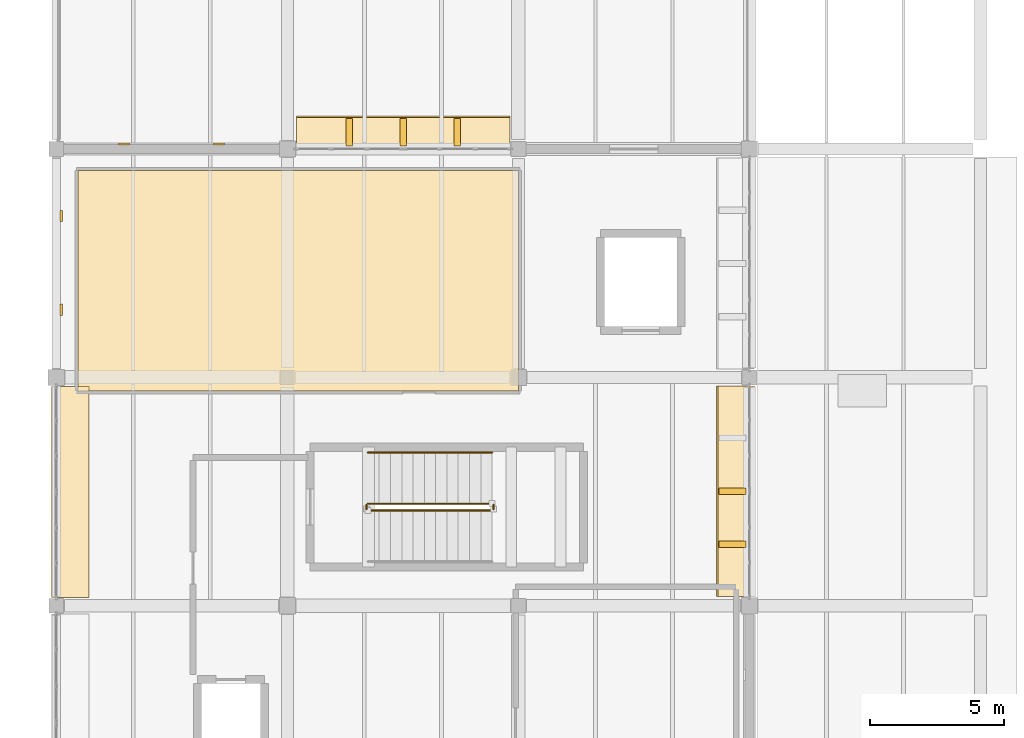
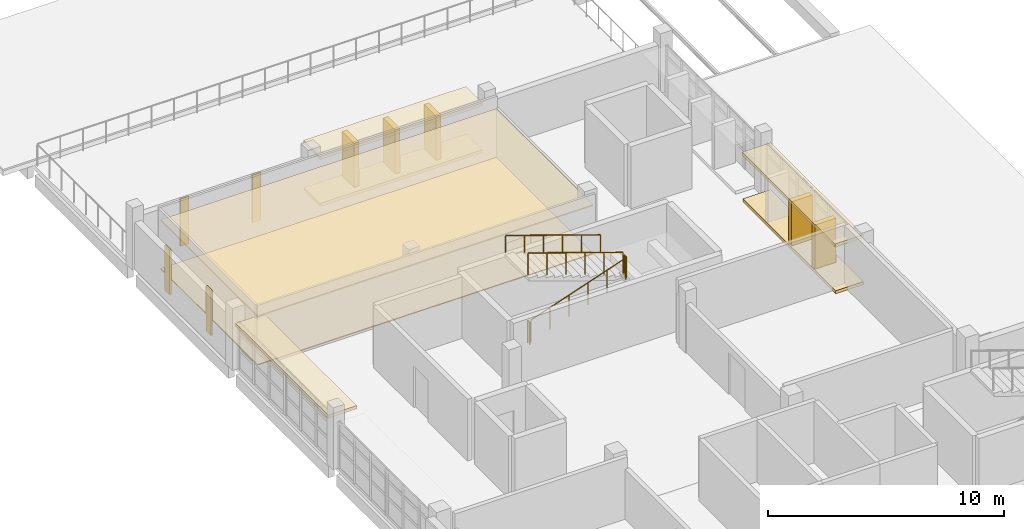
# One storey, part 51 of 55: 11 coverings, 5 railings, 5 shading devices.
"""IFC4 building model written with IfcOpenShell, lengths in metres."""

from ifc_helpers import new_model, si_unit, direction, frame, origin, origin_2d, place, context, subcontext, project, spatial, polyline, rectangle, circle, outline, extrude, material, layer, layer_set, type_object, element, save


model = new_model("IFC4")

# Units and contexts
model_context = context("Model", 3, precision=1e-05, world=origin(), true_north=direction((0.0, 1.0)))
body_context = subcontext(model_context, "Body", "Model", "MODEL_VIEW")
ifc_project = project(units=[si_unit("LENGTHUNIT", "METRE"), si_unit("AREAUNIT", "SQUARE_METRE"), si_unit("VOLUMEUNIT", "CUBIC_METRE"), si_unit("PLANEANGLEUNIT", "RADIAN"), si_unit("MASSUNIT", "GRAM", prefix="KILO")], contexts=[model_context])

# Site, building, storey
site_placement = place(None, origin())
site = spatial("IfcSite", under=ifc_project, at=site_placement, CompositionType="ELEMENT")
building_placement = place(site_placement, origin())
building = spatial("IfcBuilding", under=site, at=building_placement, Name="Varnakota Cinema and Media Centre", CompositionType="ELEMENT")
storey_placement = place(building_placement, frame((0.0, 0.0, 15.60009765625)))
storey = spatial("IfcBuildingStorey", under=building, at=storey_placement, Name="L04", CompositionType="ELEMENT", Elevation=15.60009765625)

# Coverings
ifc_material_1 = material(Name="Autoclaved aerated concrete blockwork", Category="masonry")
ifc_layer_1 = layer(ifc_material_1, 0.06005859375)
ifc_layer_set_1 = layer_set([ifc_layer_1], Name="Autoclaved aerated concrete blockwork")
covering_type_1 = type_object("IfcCoveringType", Name="COV-ACOUST-CEIL-60", PredefinedType="CEILING", material=ifc_layer_set_1)
covering_1_placement = place(storey_placement, frame((0.0, 0.0, 2.5)))
element("IfcCovering", 1, at=covering_1_placement, inside=storey, type_object=covering_type_1, Name="L04 Broadcast Graphics and Editing Room acoustic baffle ceiling", PredefinedType="CEILING", context=body_context, shape_type="SweptSolid", body=[
    extrude(outline(polyline([(0.800048828125, 52.0), (17.199951171875, 52.0), (17.199951171875, 60.199951171875), (0.800048828125, 60.199951171875), (0.800048828125, 52.0)])), origin(), (0.0, 0.0, 1.0), 0.059814453125),
])
ifc_material_2 = material(Name="Precast concrete M40", Category="concrete")
ifc_layer_2 = layer(ifc_material_2, 0.159912109375)
ifc_layer_set_2 = layer_set([ifc_layer_2], Name="Precast concrete M40")
covering_type_2 = type_object("IfcCoveringType", Name="COV-CHAJJA-160", PredefinedType="CLADDING", material=ifc_layer_set_2)
covering_2_placement = place(storey_placement, frame((0.0, 0.0, 2.4248046875)))
element("IfcCovering", 2, at=covering_2_placement, inside=storey, type_object=covering_type_2, Name="L04 Brutalist chajja overhang V5-E-2", PredefinedType="CLADDING", context=body_context, shape_type="SweptSolid", body=[
    extrude(outline(polyline([(25.97998046875, 44.340087890625), (25.97998046875, 52.18505859375), (24.580078125, 52.18505859375), (24.580078125, 44.340087890625), (25.97998046875, 44.340087890625)])), origin(), (0.0, 0.0, 1.0), 0.16015625),
])
covering_3_placement = place(storey_placement, origin())
element("IfcCovering", 3, at=covering_3_placement, inside=storey, type_object=covering_type_2, Name="L04 brise-soleil base plinth V5-E-2", PredefinedType="CLADDING", context=body_context, shape_type="SweptSolid", body=[
    extrude(outline(polyline([(25.97998046875, 44.340087890625), (25.97998046875, 52.18505859375), (24.6201171875, 52.18505859375), (24.6201171875, 44.340087890625), (25.97998046875, 44.340087890625)])), origin(), (0.0, 0.0, 1.0), 0.159912109375),
])
covering_4_placement = place(storey_placement, frame((0.0, 0.0, 2.4248046875)))
element("IfcCovering", 4, at=covering_4_placement, inside=storey, type_object=covering_type_2, Name="L04 Brutalist chajja overhang V5-N-2", PredefinedType="CLADDING", context=body_context, shape_type="SweptSolid", body=[
    extrude(outline(polyline([(8.93994140625, 60.820068359375), (16.885009765625, 60.820068359375), (16.885009765625, 62.219970703125), (8.93994140625, 62.219970703125), (8.93994140625, 60.820068359375)])), origin(), (0.0, 0.0, 1.0), 0.16015625),
])
covering_5_placement = place(storey_placement, origin())
element("IfcCovering", 5, at=covering_5_placement, inside=storey, type_object=covering_type_2, Name="L04 brise-soleil base plinth V5-N-2", PredefinedType="CLADDING", context=body_context, shape_type="SweptSolid", body=[
    extrude(outline(polyline([(8.93994140625, 60.820068359375), (16.885009765625, 60.820068359375), (16.885009765625, 62.179931640625), (8.93994140625, 62.179931640625), (8.93994140625, 60.820068359375)])), origin(), (0.0, 0.0, 1.0), 0.159912109375),
])
covering_6_placement = place(storey_placement, frame((0.0, 0.0, 2.27490234375)))
element("IfcCovering", 6, at=covering_6_placement, inside=storey, type_object=covering_type_2, Name="L04 Brutalist chajja overhang V5-W-2", PredefinedType="CLADDING", context=body_context, shape_type="SweptSolid", body=[
    extrude(outline(polyline([(-0.179931640625, 52.159912109375), (-0.179931640625, 44.31494140625), (1.219970703125, 44.31494140625), (1.219970703125, 52.159912109375), (-0.179931640625, 52.159912109375)])), origin(), (0.0, 0.0, 1.0), 0.159912109375),
])
ifc_material_3 = material(Name="Deccan grey granite ashlar", Category="masonry")
ifc_layer_3 = layer(ifc_material_3, 0.044921875)
ifc_layer_set_3 = layer_set([ifc_layer_3], Name="Deccan grey granite ashlar")
covering_type_3 = type_object("IfcCoveringType", Name="COV-STUDIO-FLR-45", PredefinedType="FLOORING", material=ifc_layer_set_3)
covering_7_placement = place(storey_placement, origin())
element("IfcCovering", 7, at=covering_7_placement, inside=storey, type_object=covering_type_3, Name="L04 Broadcast Graphics and Editing Room isolated studio floor finish", PredefinedType="FLOORING", context=body_context, shape_type="SweptSolid", body=[
    extrude(outline(polyline([(0.800048828125, 52.0), (17.199951171875, 52.0), (17.199951171875, 60.199951171875), (0.800048828125, 60.199951171875), (0.800048828125, 52.0)])), origin(), (0.0, 0.0, 1.0), 0.044921875),
])
ifc_material_4 = material(Name="Pale Tandur limestone cladding", Category="masonry")
ifc_layer_4 = layer(ifc_material_4, 0.06005859375)
ifc_layer_set_4 = layer_set([ifc_layer_4], Name="Pale Tandur limestone cladding")
covering_type_4 = type_object("IfcCoveringType", Name="COV-TANDUR-ASHLAR-60", PredefinedType="CLADDING", material=ifc_layer_set_4)
for number, where, z_axis, x_axis, name in (
    (8, (2.52197265625, 61.18505859375, 0.06005859375), (0.0, 0.0, 1.0), (1.0, 0.0, 0.0), "L04 acoustic studio stone relief pilaster V5-N-1.1"),
    (9, (6.052978515625, 61.18505859375, 0.06005859375), (0.0, 0.0, 1.0), (1.0, 0.0, 0.0), "L04 acoustic studio stone relief pilaster V5-N-1.2"),
):
    element("IfcCovering", number, at=place(storey_placement, frame(where, z_axis=z_axis, x_axis=x_axis)), inside=storey, type_object=covering_type_4, Name=name, PredefinedType="CLADDING", context=body_context, shape_type="SweptSolid", body=[
        extrude(rectangle(XDim=0.419921875, YDim=0.080078125, at=origin_2d()), origin(), (0.0, 0.0, 1.0), 2.465087890625),
    ])
for number, where, z_axis, x_axis, name in (
    (10, (0.18505859375, 58.506103515625, 0.059814453125), (0.0, 0.0, 1.0), (0.0, -1.0, 0.0), "L04 acoustic studio stone relief pilaster V5-W-1.1"),
    (11, (0.18505859375, 55.01904296875, 0.059814453125), (0.0, 0.0, 1.0), (0.0, -1.0, 0.0), "L04 acoustic studio stone relief pilaster V5-W-1.2"),
):
    element("IfcCovering", number, at=place(storey_placement, frame(where, z_axis=z_axis, x_axis=x_axis)), inside=storey, type_object=covering_type_4, Name=name, PredefinedType="CLADDING", context=body_context, shape_type="SweptSolid", body=[
        extrude(rectangle(XDim=0.419921875, YDim=0.080078125, at=origin_2d()), origin(), (0.0, 0.0, 1.0), 2.31494140625),
    ])

# Railings
ifc_material_5 = material(Name="Structural steel Grade 350 (E350)", Category="steel")
ifc_layer_5 = layer(ifc_material_5, 0.050048828125)
ifc_layer_set_5 = layer_set([ifc_layer_5], Name="Structural steel Grade 350 (E350)")
railing_type_1 = type_object("IfcRailingType", Name="RAIL-STAIR-GUARD-1150", PredefinedType="GUARDRAIL", material=ifc_layer_set_5)
railing_1_placement = place(storey_placement, frame((11.60009765625, 47.550048828125, 0.1435546875)))
element("IfcRailing", 12, at=railing_1_placement, inside=storey, type_object=railing_type_1, Name="L04 ST-03 stair guard 1", PredefinedType="GUARDRAIL", context=body_context, shape_type="SweptSolid", body=[
    extrude(circle(Radius=0.02392578125, at=origin_2d()), frame((0.0, 0.0, 1.1259765625), z_axis=(0.946112797211, 0.0, 0.323837266159), x_axis=(0.0, 1.0, 0.0)), (0.0, 0.0, 1.0), 4.883056640625),
    extrude(circle(Radius=0.02099609375, at=origin_2d()), origin(), (0.0, 0.0, 1.0), 1.101806640625),
    extrude(circle(Radius=0.02099609375, at=origin_2d()), frame((0.924072265625, 0.0, 0.316162109375)), (0.0, 0.0, 1.0), 1.101806640625),
    extrude(circle(Radius=0.02099609375, at=origin_2d()), frame((1.847900390625, 0.0, 0.632568359375)), (0.0, 0.0, 1.0), 1.101806640625),
    extrude(circle(Radius=0.02099609375, at=origin_2d()), frame((2.77197265625, 0.0, 0.94873046875)), (0.0, 0.0, 1.0), 1.101806640625),
    extrude(circle(Radius=0.02099609375, at=origin_2d()), frame((3.69580078125, 0.0, 1.26513671875)), (0.0, 0.0, 1.0), 1.101806640625),
    extrude(circle(Radius=0.02099609375, at=origin_2d()), frame((4.619873046875, 0.0, 1.581298828125)), (0.0, 0.0, 1.0), 1.101806640625),
])
railing_2_placement = place(storey_placement, frame((16.27001953125, 47.60009765625, 1.724853515625)))
element("IfcRailing", 13, at=railing_2_placement, inside=storey, type_object=railing_type_1, Name="L04 ST-03 stair guard 2", PredefinedType="GUARDRAIL", context=body_context, shape_type="SweptSolid", body=[
    extrude(circle(Radius=0.02392578125, at=origin_2d()), frame((0.0, 0.0, 1.1259765625), z_axis=(0.0, 1.0, 0.0), x_axis=(-1.0, 0.0, 0.0)), (0.0, 0.0, 1.0), 0.14990234375),
    extrude(circle(Radius=0.02099609375, at=origin_2d()), origin(), (0.0, 0.0, 1.0), 1.101806640625),
    extrude(circle(Radius=0.02099609375, at=origin_2d()), frame((0.0, 0.14990234375, 0.0)), (0.0, 0.0, 1.0), 1.101806640625),
])
railing_3_placement = place(storey_placement, frame((16.219970703125, 47.800048828125, 1.86865234375)))
element("IfcRailing", 14, at=railing_3_placement, inside=storey, type_object=railing_type_1, Name="L04 ST-03 stair guard 3", PredefinedType="GUARDRAIL", context=body_context, shape_type="SweptSolid", body=[
    extrude(circle(Radius=0.02392578125, at=origin_2d()), frame((0.0, 0.0, 1.1259765625), z_axis=(-0.946112797211, 0.0, 0.323837266159), x_axis=(0.0, -1.0, 0.0)), (0.0, 0.0, 1.0), 4.883056640625),
    extrude(circle(Radius=0.02099609375, at=origin_2d()), origin(), (0.0, 0.0, 1.0), 1.101806640625),
    extrude(circle(Radius=0.02099609375, at=origin_2d()), frame((-0.924072265625, 0.0, 0.316162109375)), (0.0, 0.0, 1.0), 1.101806640625),
    extrude(circle(Radius=0.02099609375, at=origin_2d()), frame((-1.847900390625, 0.0, 0.632568359375)), (0.0, 0.0, 1.0), 1.101806640625),
    extrude(circle(Radius=0.02099609375, at=origin_2d()), frame((-2.77197265625, 0.0, 0.94873046875)), (0.0, 0.0, 1.0), 1.101806640625),
    extrude(circle(Radius=0.02099609375, at=origin_2d()), frame((-3.69580078125, 0.0, 1.26513671875)), (0.0, 0.0, 1.0), 1.101806640625),
    extrude(circle(Radius=0.02099609375, at=origin_2d()), frame((-4.619873046875, 0.0, 1.581298828125)), (0.0, 0.0, 1.0), 1.101806640625),
])
railing_4_placement = place(storey_placement, frame((11.550048828125, 47.60009765625, 0.0)))
element("IfcRailing", 15, at=railing_4_placement, inside=storey, type_object=railing_type_1, Name="L04 ST-03 stair guard 4", PredefinedType="GUARDRAIL", context=body_context, shape_type="SweptSolid", body=[
    extrude(circle(Radius=0.02392578125, at=origin_2d()), frame((0.0, 0.0, 1.1259765625), z_axis=(0.0, 1.0, 0.0), x_axis=(-1.0, 0.0, 0.0)), (0.0, 0.0, 1.0), 0.14990234375),
    extrude(circle(Radius=0.02099609375, at=origin_2d()), origin(), (0.0, 0.0, 1.0), 1.101806640625),
    extrude(circle(Radius=0.02099609375, at=origin_2d()), frame((0.0, 0.14990234375, 0.0)), (0.0, 0.0, 1.0), 1.101806640625),
])
ifc_material_6 = material(Name="Structural steel Grade 350 (E350)", Category="steel")
ifc_layer_6 = layer(ifc_material_6, 0.048095703125)
ifc_layer_set_6 = layer_set([ifc_layer_6], Name="Structural steel Grade 350 (E350)")
railing_type_2 = type_object("IfcRailingType", Name="RAIL-STAIR-HAND-900", PredefinedType="HANDRAIL", material=ifc_layer_set_6)
railing_5_placement = place(storey_placement, frame((16.219970703125, 49.699951171875, 1.86865234375)))
element("IfcRailing", 16, at=railing_5_placement, inside=storey, type_object=railing_type_2, Name="L04 ST-03 stair handrail 2", PredefinedType="HANDRAIL", context=body_context, shape_type="SweptSolid", body=[
    extrude(circle(Radius=0.02392578125, at=origin_2d()), frame((0.0, 0.0, 0.8759765625), z_axis=(-0.946112797211, 0.0, 0.323837266159), x_axis=(0.0, -1.0, 0.0)), (0.0, 0.0, 1.0), 4.883056640625),
    extrude(circle(Radius=0.02099609375, at=origin_2d()), origin(), (0.0, 0.0, 1.0), 0.851806640625),
    extrude(circle(Radius=0.02099609375, at=origin_2d()), frame((-0.924072265625, 0.0, 0.316162109375)), (0.0, 0.0, 1.0), 0.851806640625),
    extrude(circle(Radius=0.02099609375, at=origin_2d()), frame((-1.847900390625, 0.0, 0.632568359375)), (0.0, 0.0, 1.0), 0.851806640625),
    extrude(circle(Radius=0.02099609375, at=origin_2d()), frame((-2.77197265625, 0.0, 0.94873046875)), (0.0, 0.0, 1.0), 0.851806640625),
    extrude(circle(Radius=0.02099609375, at=origin_2d()), frame((-3.69580078125, 0.0, 1.26513671875)), (0.0, 0.0, 1.0), 0.851806640625),
    extrude(circle(Radius=0.02099609375, at=origin_2d()), frame((-4.619873046875, 0.0, 1.581298828125)), (0.0, 0.0, 1.0), 0.851806640625),
])

# Shading devices
ifc_material_7 = material(Name="Precast concrete M40", Category="concrete")
shading_device_type = type_object("IfcShadingDeviceType", Name="SHD-BRISE-FIN-240", PredefinedType="JALOUSIE", material=ifc_material_7)
for number, where, z_axis, x_axis, name in (
    (17, (25.169921875, 46.28125, 0.14990234375), (0.0, 0.0, 1.0), (0.0, 1.0, 0.0), "L04 vertical concrete brise-soleil fin V5-E-2.1"),
    (18, (25.169921875, 48.262451171875, 0.14990234375), (0.0, 0.0, 1.0), (0.0, 1.0, 0.0), "L04 vertical concrete brise-soleil fin V5-E-2.2"),
    (19, (10.90625, 61.6298828125, 0.14990234375), (0.0, 0.0, 1.0), (1.0, 0.0, 0.0), "L04 vertical concrete brise-soleil fin V5-N-2.1"),
    (20, (12.91259765625, 61.6298828125, 0.14990234375), (0.0, 0.0, 1.0), (1.0, 0.0, 0.0), "L04 vertical concrete brise-soleil fin V5-N-2.2"),
    (21, (14.918701171875, 61.6298828125, 0.14990234375), (0.0, 0.0, 1.0), (1.0, 0.0, 0.0), "L04 vertical concrete brise-soleil fin V5-N-2.3"),
):
    element("IfcShadingDevice", number, at=place(storey_placement, frame(where, z_axis=z_axis, x_axis=x_axis)), inside=storey, type_object=shading_device_type, Name=name, PredefinedType="JALOUSIE", context=body_context, shape_type="SweptSolid", body=[
        extrude(rectangle(XDim=0.239990234375, YDim=1.02001953125, at=origin_2d()), origin(), (0.0, 0.0, 1.0), 2.284912109375),
    ])

save(model, "model.ifc")
